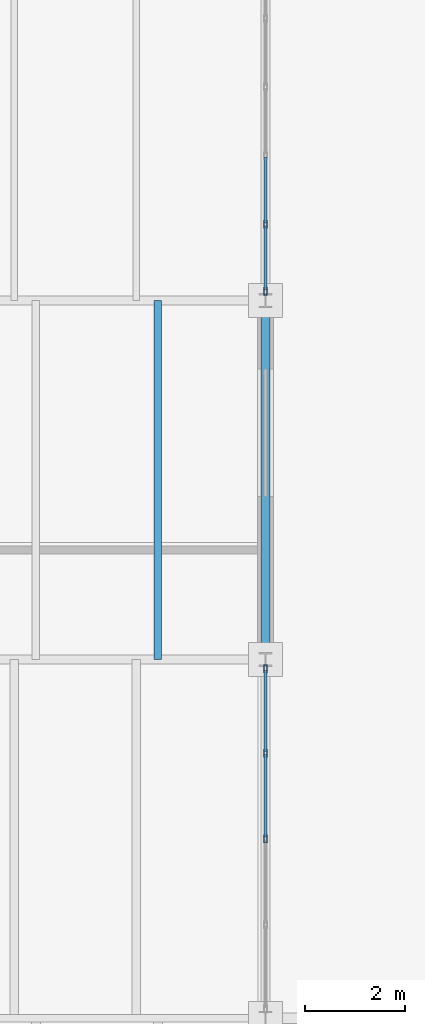
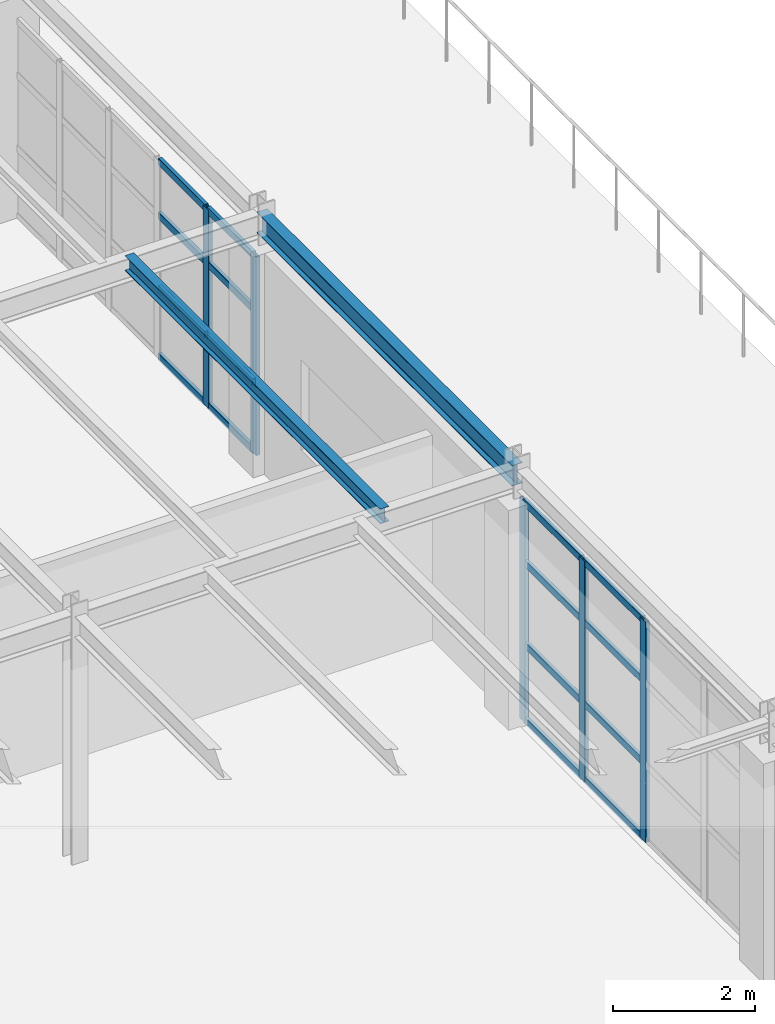
# One storey, part 44 of 101: 21 members, 2 beams, 2 elements without a shape of their own.
"""IFC4 building model written with IfcOpenShell, lengths in metres."""

from ifc_helpers import new_model, si_unit, direction, frame, origin, origin_2d, place, context, subcontext, project, spatial, hollow_rectangle, i_section, extrude, material, layer, layer_set, material_profile, profile_set, type_object, element, aggregate, save


model = new_model("IFC4")

# Units and contexts
model_context = context("Model", 3, precision=1e-05, world=origin(), true_north=direction((0.0, 1.0)))
body_context = subcontext(model_context, "Body", "Model", "MODEL_VIEW")
ifc_project = project(units=[si_unit("LENGTHUNIT", "METRE"), si_unit("AREAUNIT", "SQUARE_METRE"), si_unit("VOLUMEUNIT", "CUBIC_METRE"), si_unit("PLANEANGLEUNIT", "RADIAN"), si_unit("MASSUNIT", "GRAM", prefix="KILO")], contexts=[model_context])

# Site, building, storey
site_placement = place(None, origin())
site = spatial("IfcSite", under=ifc_project, at=site_placement, CompositionType="ELEMENT")
building_placement = place(site_placement, origin())
building = spatial("IfcBuilding", under=site, at=building_placement, Name="Kemerveld Promenade Tramway Depot", CompositionType="ELEMENT")
storey_placement = place(building_placement, frame((0.0, 0.0, 9.89990234375)))
storey = spatial("IfcBuildingStorey", under=building, at=storey_placement, Name="L02", CompositionType="ELEMENT", Elevation=9.89990234375)

# Beams
ifc_material_1 = material(Name="Steel S355", Category="steel")
ifc_material_profile_1 = material_profile(ifc_material_1, i_section(OverallWidth=0.172119140625, OverallDepth=0.35791015625, WebThickness=0.008056640625, FlangeThickness=0.012939453125, FilletRadius=0.01025390625, at=origin_2d()), Name="356x171x57 UB")
ifc_profile_set_1 = profile_set([ifc_material_profile_1], Name="Steel S355")
beam_type_1 = type_object("IfcBeamType", Name="BM-G08", PredefinedType="BEAM", material=ifc_profile_set_1)
beam_1_placement = place(storey_placement, frame((50.39990234375, 36.0, 4.106201171875), z_axis=(0.0, 1.0, 0.0), x_axis=(-1.0, 0.0, 0.0)))
element("IfcBeam", 1, at=beam_1_placement, inside=storey, type_object=beam_type_1, Name="BMY-L02-08-F-G", PredefinedType="BEAM", context=body_context, shape_type="SweptSolid", body=[
    extrude(i_section(OverallWidth=0.172119140625, OverallDepth=0.35791015625, WebThickness=0.008056640625, FlangeThickness=0.012939453125, FilletRadius=0.01025390625, at=origin_2d()), origin(), (0.0, 0.0, 1.0), 7.199951171875),
])
ifc_material_profile_2 = material_profile(ifc_material_1, i_section(OverallWidth=0.146484375, OverallDepth=0.256103515625, WebThickness=0.00634765625, FlangeThickness=0.010986328125, FilletRadius=0.007568359375, at=origin_2d()), Name="254x146x37 UB")
ifc_profile_set_2 = profile_set([ifc_material_profile_2], Name="Steel S355")
beam_type_2 = type_object("IfcBeamType", Name="BM-J02", PredefinedType="JOIST", material=ifc_profile_set_2)
beam_2_placement = place(storey_placement, frame((48.239990234375, 36.0, 4.156982421875), z_axis=(0.0, 1.0, 0.0), x_axis=(-1.0, 0.0, 0.0)))
element("IfcBeam", 2, at=beam_2_placement, inside=storey, type_object=beam_type_2, Name="JST-L02-07-F-2", PredefinedType="JOIST", context=body_context, shape_type="SweptSolid", body=[
    extrude(i_section(OverallWidth=0.146484375, OverallDepth=0.256103515625, WebThickness=0.00634765625, FlangeThickness=0.010986328125, FilletRadius=0.007568359375, at=origin_2d()), origin(), (0.0, 0.0, 1.0), 7.199951171875),
])

# Curtain wall, members
ifc_material_2 = material(Name="Bronze anodised aluminium and solar glass", Category="aluminium")
ifc_layer_1 = layer(ifc_material_2, 0.159912109375)
ifc_layer_set_1 = layer_set([ifc_layer_1], Name="CW-SYS-07")
curtain_wall_type_1 = type_object("IfcCurtainWallType", Name="CW-SYS-07", PredefinedType="USERDEFINED", material=ifc_layer_set_1)
curtain_wall_1_placement = place(storey_placement, origin())
curtain_wall_1 = element("IfcCurtainWall", 3, at=curtain_wall_1_placement, inside=storey, type_object=curtain_wall_type_1, Name="CW-L02-V5E-04", ObjectType="GLAZED_CURTAIN_WALL", PredefinedType="USERDEFINED")
ifc_material_3 = material(Name="Bronze anodised aluminium", Category="aluminium")
ifc_material_profile_3 = material_profile(ifc_material_3, hollow_rectangle(XDim=0.06494140625, YDim=0.159912109375, WallThickness=0.00390625, InnerFilletRadius=0.001953125, OuterFilletRadius=0.00390625, at=origin_2d()), Name="CW-MUL-160x65")
ifc_profile_set_3 = profile_set([ifc_material_profile_3], Name="Bronze anodised aluminium")
member_type_1 = type_object("IfcMemberType", Name="CW-MUL-A", PredefinedType="MULLION", material=ifc_profile_set_3)
member_1_placement = place(storey_placement, frame((50.39990234375, 44.73486328125, 0.0), z_axis=(0.0, 0.0, 1.0), x_axis=(1.0, 0.0, 0.0)))
member_1 = element("IfcMember", 4, at=member_1_placement, type_object=member_type_1, Name="CW07 mullion 5", PredefinedType="MULLION", context=body_context, shape_type="SweptSolid", body=[
    extrude(hollow_rectangle(XDim=0.06494140625, YDim=0.159912109375, WallThickness=0.00390625, InnerFilletRadius=0.001953125, OuterFilletRadius=0.00390625, at=origin_2d()), origin(), (0.0, 0.0, 1.0), 3.414306640625),
])
member_2_placement = place(storey_placement, frame((50.39990234375, 43.390625, 0.0), z_axis=(0.0, 0.0, 1.0), x_axis=(1.0, 0.0, 0.0)))
member_2 = element("IfcMember", 5, at=member_2_placement, type_object=member_type_1, Name="CW07 mullion 6", PredefinedType="MULLION", context=body_context, shape_type="SweptSolid", body=[
    extrude(hollow_rectangle(XDim=0.06494140625, YDim=0.159912109375, WallThickness=0.00390625, InnerFilletRadius=0.001953125, OuterFilletRadius=0.00390625, at=origin_2d()), origin(), (0.0, 0.0, 1.0), 3.414306640625),
])

ifc_layer_2 = layer(ifc_material_2, 0.159912109375)
ifc_layer_set_2 = layer_set([ifc_layer_2], Name="CW-SYS-09")
curtain_wall_type_2 = type_object("IfcCurtainWallType", Name="CW-SYS-09", PredefinedType="USERDEFINED", material=ifc_layer_set_2)
curtain_wall_2_placement = place(storey_placement, origin())
curtain_wall_2 = element("IfcCurtainWall", 6, at=curtain_wall_2_placement, inside=storey, type_object=curtain_wall_type_2, Name="CW-L02-V5E-06", ObjectType="GLAZED_CURTAIN_WALL", PredefinedType="USERDEFINED")
member_3_placement = place(storey_placement, frame((50.39990234375, 35.809326171875, 0.0), z_axis=(0.0, 0.0, 1.0), x_axis=(1.0, 0.0, 0.0)))
member_3 = element("IfcMember", 7, at=member_3_placement, type_object=member_type_1, Name="CW09 mullion 1", PredefinedType="MULLION", context=body_context, shape_type="SweptSolid", body=[
    extrude(hollow_rectangle(XDim=0.06494140625, YDim=0.159912109375, WallThickness=0.00390625, InnerFilletRadius=0.001953125, OuterFilletRadius=0.00390625, at=origin_2d()), origin(), (0.0, 0.0, 1.0), 3.800048828125),
])
member_4_placement = place(storey_placement, frame((50.39990234375, 34.120849609375, 0.0), z_axis=(0.0, 0.0, 1.0), x_axis=(1.0, 0.0, 0.0)))
member_4 = element("IfcMember", 8, at=member_4_placement, type_object=member_type_1, Name="CW09 mullion 2", PredefinedType="MULLION", context=body_context, shape_type="SweptSolid", body=[
    extrude(hollow_rectangle(XDim=0.06494140625, YDim=0.159912109375, WallThickness=0.00390625, InnerFilletRadius=0.001953125, OuterFilletRadius=0.00390625, at=origin_2d()), origin(), (0.0, 0.0, 1.0), 3.800048828125),
])
member_5_placement = place(storey_placement, frame((50.39990234375, 32.39990234375, 0.0), z_axis=(0.0, 0.0, 1.0), x_axis=(1.0, 0.0, 0.0)))
member_5 = element("IfcMember", 9, at=member_5_placement, type_object=member_type_1, Name="CW09 mullion 3", PredefinedType="MULLION", context=body_context, shape_type="SweptSolid", body=[
    extrude(hollow_rectangle(XDim=0.06494140625, YDim=0.159912109375, WallThickness=0.00390625, InnerFilletRadius=0.001953125, OuterFilletRadius=0.00390625, at=origin_2d()), origin(), (0.0, 0.0, 1.0), 3.800048828125),
])

# Member
ifc_material_profile_4 = material_profile(ifc_material_3, hollow_rectangle(XDim=0.06005859375, YDim=0.1201171875, WallThickness=0.00390625, InnerFilletRadius=0.001953125, OuterFilletRadius=0.00390625, at=origin_2d()), Name="CW-TRN-120x60")
ifc_profile_set_4 = profile_set([ifc_material_profile_4], Name="Bronze anodised aluminium")
member_type_2 = type_object("IfcMemberType", Name="CW-TRN-A", PredefinedType="USERDEFINED", material=ifc_profile_set_4)
member_6_placement = place(storey_placement, frame((50.39990234375, 46.0791015625, 0.030029296875), z_axis=(0.0, -1.0, 0.0), x_axis=(1.0, 0.0, 0.0)))
member_6 = element("IfcMember", 10, at=member_6_placement, type_object=member_type_2, Name="CW07 transom 4.1", ObjectType="TRANSOM", PredefinedType="USERDEFINED", context=body_context, shape_type="SweptSolid", body=[
    extrude(hollow_rectangle(XDim=0.06005859375, YDim=0.1201171875, WallThickness=0.00390625, InnerFilletRadius=0.001953125, OuterFilletRadius=0.00390625, at=origin_2d()), origin(), (0.0, 0.0, 1.0), 1.311767578125),
])

member_7_placement = place(storey_placement, frame((50.39990234375, 46.0791015625, 1.195068359375), z_axis=(0.0, -1.0, 0.0), x_axis=(1.0, 0.0, 0.0)))
member_7 = element("IfcMember", 11, at=member_7_placement, type_object=member_type_2, Name="CW07 transom 4.2", ObjectType="TRANSOM", PredefinedType="USERDEFINED", context=body_context, shape_type="SweptSolid", body=[
    extrude(hollow_rectangle(XDim=0.06005859375, YDim=0.1201171875, WallThickness=0.00390625, InnerFilletRadius=0.001953125, OuterFilletRadius=0.00390625, at=origin_2d()), origin(), (0.0, 0.0, 1.0), 1.311767578125),
])

member_8_placement = place(storey_placement, frame((50.39990234375, 46.0791015625, 2.4580078125), z_axis=(0.0, -1.0, 0.0), x_axis=(1.0, 0.0, 0.0)))
member_8 = element("IfcMember", 12, at=member_8_placement, type_object=member_type_2, Name="CW07 transom 4.3", ObjectType="TRANSOM", PredefinedType="USERDEFINED", context=body_context, shape_type="SweptSolid", body=[
    extrude(hollow_rectangle(XDim=0.06005859375, YDim=0.1201171875, WallThickness=0.00390625, InnerFilletRadius=0.001953125, OuterFilletRadius=0.00390625, at=origin_2d()), origin(), (0.0, 0.0, 1.0), 1.311767578125),
])

member_9_placement = place(storey_placement, frame((50.39990234375, 46.0791015625, 3.38427734375), z_axis=(0.0, -1.0, 0.0), x_axis=(1.0, 0.0, 0.0)))
member_9 = element("IfcMember", 13, at=member_9_placement, type_object=member_type_2, Name="CW07 transom 4.4", ObjectType="TRANSOM", PredefinedType="USERDEFINED", context=body_context, shape_type="SweptSolid", body=[
    extrude(hollow_rectangle(XDim=0.06005859375, YDim=0.1201171875, WallThickness=0.00390625, InnerFilletRadius=0.001953125, OuterFilletRadius=0.00390625, at=origin_2d()), origin(), (0.0, 0.0, 1.0), 1.311767578125),
])

member_10_placement = place(storey_placement, frame((50.39990234375, 44.702392578125, 0.030029296875), z_axis=(0.0, -1.0, 0.0), x_axis=(1.0, 0.0, 0.0)))
member_10 = element("IfcMember", 14, at=member_10_placement, type_object=member_type_2, Name="CW07 transom 5.1", ObjectType="TRANSOM", PredefinedType="USERDEFINED", context=body_context, shape_type="SweptSolid", body=[
    extrude(hollow_rectangle(XDim=0.06005859375, YDim=0.1201171875, WallThickness=0.00390625, InnerFilletRadius=0.001953125, OuterFilletRadius=0.00390625, at=origin_2d()), origin(), (0.0, 0.0, 1.0), 1.279296875),
])

member_11_placement = place(storey_placement, frame((50.39990234375, 44.702392578125, 1.195068359375), z_axis=(0.0, -1.0, 0.0), x_axis=(1.0, 0.0, 0.0)))
member_11 = element("IfcMember", 15, at=member_11_placement, type_object=member_type_2, Name="CW07 transom 5.2", ObjectType="TRANSOM", PredefinedType="USERDEFINED", context=body_context, shape_type="SweptSolid", body=[
    extrude(hollow_rectangle(XDim=0.06005859375, YDim=0.1201171875, WallThickness=0.00390625, InnerFilletRadius=0.001953125, OuterFilletRadius=0.00390625, at=origin_2d()), origin(), (0.0, 0.0, 1.0), 1.279296875),
])

member_12_placement = place(storey_placement, frame((50.39990234375, 44.702392578125, 2.4580078125), z_axis=(0.0, -1.0, 0.0), x_axis=(1.0, 0.0, 0.0)))
member_12 = element("IfcMember", 16, at=member_12_placement, type_object=member_type_2, Name="CW07 transom 5.3", ObjectType="TRANSOM", PredefinedType="USERDEFINED", context=body_context, shape_type="SweptSolid", body=[
    extrude(hollow_rectangle(XDim=0.06005859375, YDim=0.1201171875, WallThickness=0.00390625, InnerFilletRadius=0.001953125, OuterFilletRadius=0.00390625, at=origin_2d()), origin(), (0.0, 0.0, 1.0), 1.279296875),
])

member_13_placement = place(storey_placement, frame((50.39990234375, 44.702392578125, 3.38427734375), z_axis=(0.0, -1.0, 0.0), x_axis=(1.0, 0.0, 0.0)))
member_13 = element("IfcMember", 17, at=member_13_placement, type_object=member_type_2, Name="CW07 transom 5.4", ObjectType="TRANSOM", PredefinedType="USERDEFINED", context=body_context, shape_type="SweptSolid", body=[
    extrude(hollow_rectangle(XDim=0.06005859375, YDim=0.1201171875, WallThickness=0.00390625, InnerFilletRadius=0.001953125, OuterFilletRadius=0.00390625, at=origin_2d()), origin(), (0.0, 0.0, 1.0), 1.279296875),
])

aggregate(curtain_wall_1, [member_1, member_2, member_6, member_7, member_8, member_9, member_10, member_11, member_12, member_13])

member_14_placement = place(storey_placement, frame((50.39990234375, 35.77685546875, 0.030029296875), z_axis=(0.0, -1.0, 0.0), x_axis=(1.0, 0.0, 0.0)))
member_14 = element("IfcMember", 18, at=member_14_placement, type_object=member_type_2, Name="CW09 transom 1.1", ObjectType="TRANSOM", PredefinedType="USERDEFINED", context=body_context, shape_type="SweptSolid", body=[
    extrude(hollow_rectangle(XDim=0.06005859375, YDim=0.1201171875, WallThickness=0.00390625, InnerFilletRadius=0.001953125, OuterFilletRadius=0.00390625, at=origin_2d()), origin(), (0.0, 0.0, 1.0), 1.623291015625),
])

member_15_placement = place(storey_placement, frame((50.39990234375, 35.77685546875, 1.330078125), z_axis=(0.0, -1.0, 0.0), x_axis=(1.0, 0.0, 0.0)))
member_15 = element("IfcMember", 19, at=member_15_placement, type_object=member_type_2, Name="CW09 transom 1.2", ObjectType="TRANSOM", PredefinedType="USERDEFINED", context=body_context, shape_type="SweptSolid", body=[
    extrude(hollow_rectangle(XDim=0.06005859375, YDim=0.1201171875, WallThickness=0.00390625, InnerFilletRadius=0.001953125, OuterFilletRadius=0.00390625, at=origin_2d()), origin(), (0.0, 0.0, 1.0), 1.623291015625),
])

member_16_placement = place(storey_placement, frame((50.39990234375, 35.77685546875, 2.736083984375), z_axis=(0.0, -1.0, 0.0), x_axis=(1.0, 0.0, 0.0)))
member_16 = element("IfcMember", 20, at=member_16_placement, type_object=member_type_2, Name="CW09 transom 1.3", ObjectType="TRANSOM", PredefinedType="USERDEFINED", context=body_context, shape_type="SweptSolid", body=[
    extrude(hollow_rectangle(XDim=0.06005859375, YDim=0.1201171875, WallThickness=0.00390625, InnerFilletRadius=0.001953125, OuterFilletRadius=0.00390625, at=origin_2d()), origin(), (0.0, 0.0, 1.0), 1.623291015625),
])

member_17_placement = place(storey_placement, frame((50.39990234375, 35.77685546875, 3.77001953125), z_axis=(0.0, -1.0, 0.0), x_axis=(1.0, 0.0, 0.0)))
member_17 = element("IfcMember", 21, at=member_17_placement, type_object=member_type_2, Name="CW09 transom 1.4", ObjectType="TRANSOM", PredefinedType="USERDEFINED", context=body_context, shape_type="SweptSolid", body=[
    extrude(hollow_rectangle(XDim=0.06005859375, YDim=0.1201171875, WallThickness=0.00390625, InnerFilletRadius=0.001953125, OuterFilletRadius=0.00390625, at=origin_2d()), origin(), (0.0, 0.0, 1.0), 1.623291015625),
])

member_18_placement = place(storey_placement, frame((50.39990234375, 34.08837890625, 0.030029296875), z_axis=(0.0, -1.0, 0.0), x_axis=(1.0, 0.0, 0.0)))
member_18 = element("IfcMember", 22, at=member_18_placement, type_object=member_type_2, Name="CW09 transom 2.1", ObjectType="TRANSOM", PredefinedType="USERDEFINED", context=body_context, shape_type="SweptSolid", body=[
    extrude(hollow_rectangle(XDim=0.06005859375, YDim=0.1201171875, WallThickness=0.00390625, InnerFilletRadius=0.001953125, OuterFilletRadius=0.00390625, at=origin_2d()), origin(), (0.0, 0.0, 1.0), 1.65576171875),
])

member_19_placement = place(storey_placement, frame((50.39990234375, 34.08837890625, 1.330078125), z_axis=(0.0, -1.0, 0.0), x_axis=(1.0, 0.0, 0.0)))
member_19 = element("IfcMember", 23, at=member_19_placement, type_object=member_type_2, Name="CW09 transom 2.2", ObjectType="TRANSOM", PredefinedType="USERDEFINED", context=body_context, shape_type="SweptSolid", body=[
    extrude(hollow_rectangle(XDim=0.06005859375, YDim=0.1201171875, WallThickness=0.00390625, InnerFilletRadius=0.001953125, OuterFilletRadius=0.00390625, at=origin_2d()), origin(), (0.0, 0.0, 1.0), 1.65576171875),
])

member_20_placement = place(storey_placement, frame((50.39990234375, 34.08837890625, 2.736083984375), z_axis=(0.0, -1.0, 0.0), x_axis=(1.0, 0.0, 0.0)))
member_20 = element("IfcMember", 24, at=member_20_placement, type_object=member_type_2, Name="CW09 transom 2.3", ObjectType="TRANSOM", PredefinedType="USERDEFINED", context=body_context, shape_type="SweptSolid", body=[
    extrude(hollow_rectangle(XDim=0.06005859375, YDim=0.1201171875, WallThickness=0.00390625, InnerFilletRadius=0.001953125, OuterFilletRadius=0.00390625, at=origin_2d()), origin(), (0.0, 0.0, 1.0), 1.65576171875),
])

member_21_placement = place(storey_placement, frame((50.39990234375, 34.08837890625, 3.77001953125), z_axis=(0.0, -1.0, 0.0), x_axis=(1.0, 0.0, 0.0)))
member_21 = element("IfcMember", 25, at=member_21_placement, type_object=member_type_2, Name="CW09 transom 2.4", ObjectType="TRANSOM", PredefinedType="USERDEFINED", context=body_context, shape_type="SweptSolid", body=[
    extrude(hollow_rectangle(XDim=0.06005859375, YDim=0.1201171875, WallThickness=0.00390625, InnerFilletRadius=0.001953125, OuterFilletRadius=0.00390625, at=origin_2d()), origin(), (0.0, 0.0, 1.0), 1.65576171875),
])

aggregate(curtain_wall_2, [member_3, member_4, member_5, member_14, member_15, member_16, member_17, member_18, member_19, member_20, member_21])

save(model, "model.ifc")
